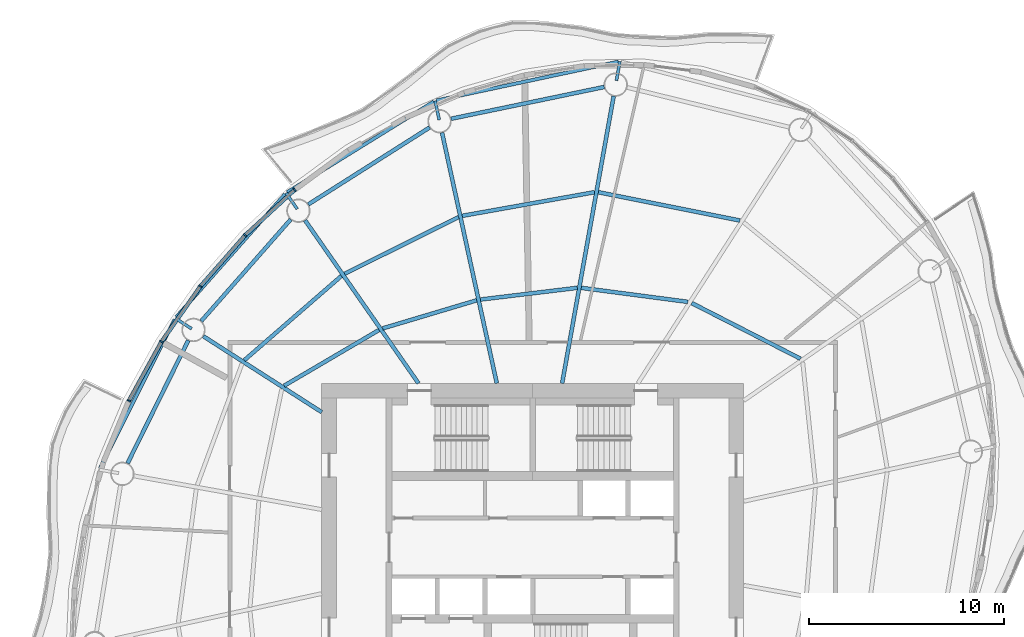
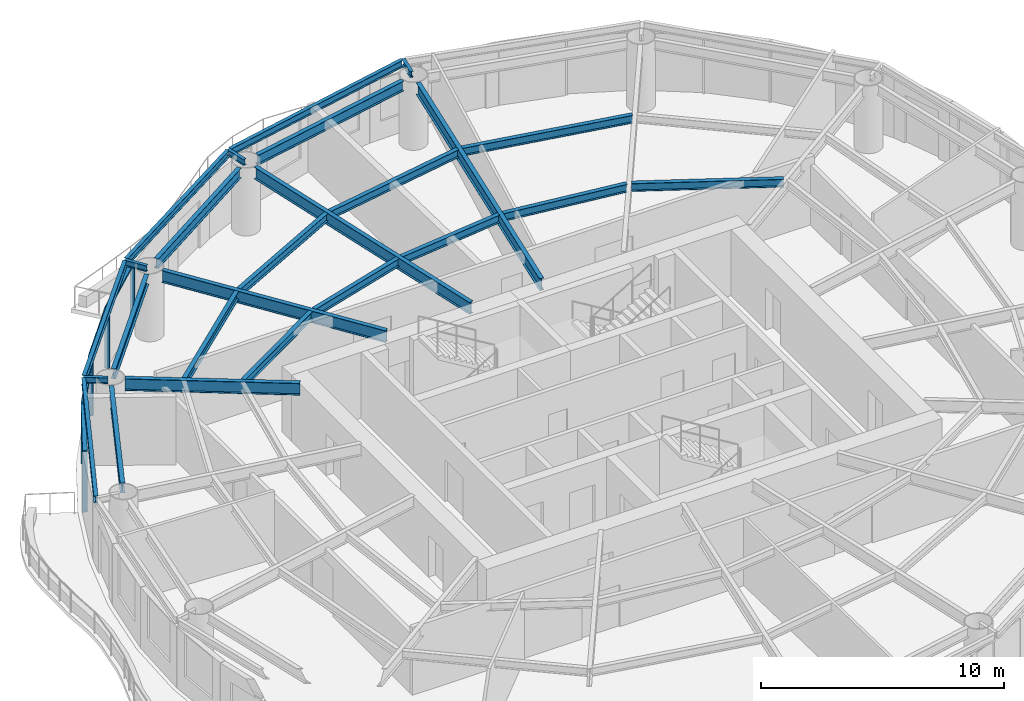
# One storey, part 5 of 14: 25 beams, 9 members, 4 elements without a shape of their own.
"""IFC4 building model written with IfcOpenShell, lengths in metres."""

import ifcopenshell
import ifcopenshell.guid

model = None  # the IFC model being written
_history = None  # IfcOwnerHistory: only IFC2X3 demands one
_inside = {}  # id of a spatial element -> (the spatial element, [elements in it])
_under = {}  # id of a project, library or spatial element -> (it, [spatial elements below it])
_declared = {}  # id of a project -> (the project, [libraries it declares])
_typed = {}  # id of a type object -> (the type object, [elements of that type])
_made_of = {}  # id of a material, layer set ... -> (it, [elements and type objects made of it])


def new_model(schema):
    """Start an empty IFC model of exactly this schema.

    Asked for "IFC4X3", IfcOpenShell would pick the latest addendum, in which some entities
    have other attributes; the version numbers below select the first issue.
    IFC2X3 requires an IfcOwnerHistory on every rooted entity: one is made here for all.
    """
    global model, _history
    if schema == "IFC4X3":
        model = ifcopenshell.file(schema_version=(4, 3, 0, 0))
    else:
        model = ifcopenshell.file(schema=schema)
    _inside.clear()
    _under.clear()
    _declared.clear()
    _typed.clear()
    _made_of.clear()
    _history = None
    if model.schema == "IFC2X3":
        org = make("IfcOrganization", Name="unknown")
        user = make(
            "IfcPersonAndOrganization",
            ThePerson=make("IfcPerson", FamilyName="unknown"),
            TheOrganization=org,
        )
        app = make(
            "IfcApplication",
            ApplicationDeveloper=org,
            Version="unknown",
            ApplicationFullName="unknown",
            ApplicationIdentifier="unknown",
        )
        _history = make(
            "IfcOwnerHistory",
            OwningUser=user,
            OwningApplication=app,
            ChangeAction="ADDED",
            CreationDate=0,
        )
    return model


def make(cls, **values):
    """One entity of the class cls with the attributes given. An attribute that is None is left unset."""
    return model.create_entity(
        cls, **{name: value for name, value in values.items() if value is not None}
    )


def rooted(cls, **values):
    """An entity with a GlobalId (a new one), such as an element, a storey or a relation."""
    return make(cls, GlobalId=ifcopenshell.guid.new(), OwnerHistory=_history, **values)


def si_unit(unit_type, name, prefix=None):
    """IfcSIUnit, for example si_unit("LENGTHUNIT", "METRE", prefix="MILLI")."""
    return make("IfcSIUnit", UnitType=unit_type, Prefix=prefix, Name=name)


def assignment(units):
    """IfcUnitAssignment: the units of a project."""
    return None if units is None else make("IfcUnitAssignment", Units=units)


def point(xyz):
    """IfcCartesianPoint."""
    return None if xyz is None else make("IfcCartesianPoint", Coordinates=xyz)


def direction(xyz):
    """IfcDirection."""
    return None if xyz is None else make("IfcDirection", DirectionRatios=xyz)


def frame(location, z_axis=None, x_axis=None):
    """IfcAxis2Placement3D, a coordinate frame: its origin and axes. An axis left out is left unset."""
    return make(
        "IfcAxis2Placement3D",
        Location=point(location),
        Axis=direction(z_axis),
        RefDirection=direction(x_axis),
    )


def frame_2d(location, x_axis=None):
    """IfcAxis2Placement2D, a coordinate frame in the plane: its origin and x axis."""
    return make(
        "IfcAxis2Placement2D", Location=point(location), RefDirection=direction(x_axis)
    )


def origin():
    """The frame at (0, 0, 0) with its axes left unset."""
    return frame((0.0, 0.0, 0.0))


def origin_2d():
    """The frame at (0, 0) in the plane with its x axis left unset."""
    return frame_2d((0.0, 0.0))


def place(relative_to, where):
    """IfcLocalPlacement: puts the frame where relative to a parent placement (None: the world)."""
    return make(
        "IfcLocalPlacement", PlacementRelTo=relative_to, RelativePlacement=where
    )


def context(
    kind, dimensions, precision=None, world=None, true_north=None, identifier=None
):
    """IfcGeometricRepresentationContext, for example the 3D "Model" context."""
    return make(
        "IfcGeometricRepresentationContext",
        ContextIdentifier=identifier,
        ContextType=kind,
        CoordinateSpaceDimension=dimensions,
        Precision=precision,
        WorldCoordinateSystem=world,
        TrueNorth=true_north,
    )


def subcontext(parent, identifier, kind, view, scale=None):
    """IfcGeometricRepresentationSubContext, for example "Body" below "Model"."""
    return make(
        "IfcGeometricRepresentationSubContext",
        ContextIdentifier=identifier,
        ContextType=kind,
        ParentContext=parent,
        TargetScale=scale,
        TargetView=view,
    )


def project(units=None, contexts=None):
    """IfcProject with its units and contexts."""
    return rooted(
        "IfcProject",
        Name="project",
        RepresentationContexts=contexts,
        UnitsInContext=assignment(units),
    )


def spatial(cls, under=None, at=None, **own):
    """A site, building, storey or space (cls), placed at a placement, below another one or the project."""
    s = rooted(cls, ObjectPlacement=at, **own)
    if under is not None:
        _under.setdefault(under.id(), (under, []))[1].append(s)
    return s


def profile(cls, at=None, kind="AREA", **sizes):
    """A parametric profile (cls). Its sizes go by their IFC names, for example OverallWidth=200.0."""
    return make(cls, ProfileType=kind, Position=at, **sizes)


def rectangle(**sizes):
    """IfcRectangleProfileDef."""
    return profile("IfcRectangleProfileDef", **sizes)


def i_section(**sizes):
    """IfcIShapeProfileDef."""
    return profile("IfcIShapeProfileDef", **sizes)


def extrude(swept, where, along, depth):
    """IfcExtrudedAreaSolid: the profile swept, set in the frame where, extruded along a direction by depth."""
    return make(
        "IfcExtrudedAreaSolid",
        SweptArea=swept,
        Position=where,
        ExtrudedDirection=direction(along),
        Depth=depth,
    )


def shape(context_of_items, identifier, shape_type, items):
    """IfcShapeRepresentation: the items that make up one representation, for example the "Body"."""
    return make(
        "IfcShapeRepresentation",
        ContextOfItems=context_of_items,
        RepresentationIdentifier=identifier,
        RepresentationType=shape_type,
        Items=items,
    )


def material(Name=None, Category=None):
    """IfcMaterial."""
    return make("IfcMaterial", Name=Name, Category=Category)


def material_profile(
    of_material, cross_section, Name=None, Category=None, Priority=None
):
    """IfcMaterialProfile: a cross section and its material."""
    return make(
        "IfcMaterialProfile",
        Name=Name,
        Material=of_material,
        Profile=cross_section,
        Priority=Priority,
        Category=Category,
    )


def profile_set(profiles, Name=None, composite=None):
    """IfcMaterialProfileSet."""
    return make(
        "IfcMaterialProfileSet",
        Name=Name,
        MaterialProfiles=profiles,
        CompositeProfile=composite,
    )


def made_of(thing, what):
    """Note that an element or type object is made of a material, layer set ...; save() writes the relation."""
    if what is not None:
        _made_of.setdefault(what.id(), (what, []))[1].append(thing)
    return thing


def type_object(cls, material=None, **own):
    """A type object (cls), such as IfcWallType, which elements share."""
    return made_of(rooted(cls, **own), material)


def element(
    cls,
    number,
    at=None,
    inside=None,
    cuts=None,
    type_object=None,
    material=None,
    context=None,
    identifier="Body",
    shape_type=None,
    held_by="IfcProductDefinitionShape",
    body=None,
    shapes=None,
    **own,
):
    """One element of the class cls, such as IfcWall. Its Tag is "e" and its number.

    at: its placement. inside: the storey or other place that contains it. cuts: it is an
    opening in that element (IfcRelVoidsElement). A single representation is given by context,
    identifier, shape_type and body (its items); several are given by shapes. held_by: the class
    of the entity that holds the representations. save() writes the other relations.
    """
    e = rooted(cls, Tag="e%d" % number, ObjectPlacement=at, **own)
    if body is not None:
        shapes = [shape(context, identifier, shape_type, body)]
    if shapes is not None:
        e.Representation = make(held_by, Representations=shapes)
    if inside is not None:
        _inside.setdefault(inside.id(), (inside, []))[1].append(e)
    if cuts is not None:
        rooted(
            "IfcRelVoidsElement", RelatingBuildingElement=cuts, RelatedOpeningElement=e
        )
    if type_object is not None:
        _typed.setdefault(type_object.id(), (type_object, []))[1].append(e)
    return made_of(e, material)


def aggregate(whole, parts):
    """IfcRelAggregates: a whole, such as a stair, and the parts it consists of."""
    return rooted("IfcRelAggregates", RelatingObject=whole, RelatedObjects=parts)


def save(model, path):
    """Write the relations noted so far, then the file.

    IfcRelAggregates (storeys below a building ...), IfcRelContainedInSpatialStructure (elements
    in a storey), IfcRelDefinesByType, IfcRelAssociatesMaterial and IfcRelDeclares: one each for
    every whole, place, type object, material and project.
    """
    for whole, parts in _under.values():
        aggregate(whole, parts)
    for where, things in _inside.values():
        rooted(
            "IfcRelContainedInSpatialStructure",
            RelatedElements=things,
            RelatingStructure=where,
        )
    for kind, things in _typed.values():
        rooted("IfcRelDefinesByType", RelatedObjects=things, RelatingType=kind)
    for what, things in _made_of.values():
        rooted("IfcRelAssociatesMaterial", RelatedObjects=things, RelatingMaterial=what)
    for by, libraries in _declared.values():
        rooted("IfcRelDeclares", RelatingContext=by, RelatedDefinitions=libraries)
    model.write(path)


model = new_model("IFC4")

# Units and contexts
model_context = context("Model", 3, precision=1e-05, world=origin(), true_north=direction((0.0, 1.0)))
body_context = subcontext(model_context, "Body", "Model", "MODEL_VIEW")
ifc_project = project(units=[si_unit("LENGTHUNIT", "METRE"), si_unit("AREAUNIT", "SQUARE_METRE"), si_unit("VOLUMEUNIT", "CUBIC_METRE"), si_unit("PLANEANGLEUNIT", "RADIAN"), si_unit("MASSUNIT", "GRAM", prefix="KILO")], contexts=[model_context])

# Site, building, storey
site_placement = place(None, origin())
site = spatial("IfcSite", under=ifc_project, at=site_placement, CompositionType="ELEMENT")
building_placement = place(site_placement, origin())
building = spatial("IfcBuilding", under=site, at=building_placement, Name="Vermilion Reach Broadcast Tower", CompositionType="ELEMENT")
storey_placement = place(building_placement, frame((0.0, 0.0, 238.89990234375)))
storey = spatial("IfcBuildingStorey", under=building, at=storey_placement, Name="L59", CompositionType="ELEMENT", Elevation=238.89990234375)

# Beams
ifc_material_1 = material(Name="Steel S355J2", Category="steel")
ifc_material_profile_1 = material_profile(ifc_material_1, i_section(OverallWidth=0.175048828125, OverallDepth=0.35009765625, WebThickness=0.007080078125, FlangeThickness=0.010986328125, at=origin_2d()), Name="S355J2 HN 350x175x7x11")
ifc_profile_set_1 = profile_set([ifc_material_profile_1], Name="Steel S355J2")
beam_type_1 = type_object("IfcBeamType", Name="EB4 HN 350x175x7x11", PredefinedType="BEAM", material=ifc_profile_set_1)
beam_1_placement = place(storey_placement, frame((-1.615966796875, 24.86328125, 3.22509765625), z_axis=(-0.97797364035, -0.208728433089, 0.0), x_axis=(0.208728433089, -0.97797364035, 0.0)))
element("IfcBeam", 1, at=beam_1_placement, inside=storey, type_object=beam_type_1, Name="Edge beam EB4-02", PredefinedType="BEAM", context=body_context, shape_type="SweptSolid", body=[
    extrude(i_section(OverallWidth=0.175048828125, OverallDepth=0.35009765625, WebThickness=0.007080078125, FlangeThickness=0.010986328125, at=origin_2d()), origin(), (0.0, 0.0, 1.0), 9.517578125),
])
beam_2_placement = place(storey_placement, frame((-11.064697265625, 22.8193359375, 3.22509765625), z_axis=(-0.850503552638, -0.525969302289, 0.0), x_axis=(0.525969302289, -0.850503552638, 0.0)))
element("IfcBeam", 2, at=beam_2_placement, inside=storey, type_object=beam_type_1, Name="Edge beam EB4-03", PredefinedType="BEAM", context=body_context, shape_type="SweptSolid", body=[
    extrude(i_section(OverallWidth=0.175048828125, OverallDepth=0.35009765625, WebThickness=0.007080078125, FlangeThickness=0.010986328125, at=origin_2d()), origin(), (0.0, 0.0, 1.0), 8.813720703125),
])
beam_3_placement = place(storey_placement, frame((-18.67578125, 18.086181640625, 3.22509765625), z_axis=(-0.662449178429, -0.749106858865, 0.0), x_axis=(0.749106858865, -0.662449178429, 0.0)))
element("IfcBeam", 3, at=beam_3_placement, inside=storey, type_object=beam_type_1, Name="Edge beam EB4-04", PredefinedType="BEAM", context=body_context, shape_type="SweptSolid", body=[
    extrude(i_section(OverallWidth=0.175048828125, OverallDepth=0.35009765625, WebThickness=0.007080078125, FlangeThickness=0.010986328125, at=origin_2d()), origin(), (0.0, 0.0, 1.0), 8.40673828125),
])
beam_4_placement = place(storey_placement, frame((-24.3291015625, 11.664306640625, 3.22509765625), z_axis=(-0.44802738022, -0.894019835671, 0.0), x_axis=(0.894019835671, -0.44802738022, 0.0)))
element("IfcBeam", 4, at=beam_4_placement, inside=storey, type_object=beam_type_1, Name="Edge beam EB4-05", PredefinedType="BEAM", context=body_context, shape_type="SweptSolid", body=[
    extrude(i_section(OverallWidth=0.175048828125, OverallDepth=0.35009765625, WebThickness=0.007080078125, FlangeThickness=0.010986328125, at=origin_2d()), origin(), (0.0, 0.0, 1.0), 8.518310546875),
])
ifc_material_2 = material(Name="Steel S355J2", Category="steel")
ifc_material_profile_2 = material_profile(ifc_material_2, i_section(OverallWidth=0.199951171875, OverallDepth=0.60009765625, WebThickness=0.010986328125, FlangeThickness=0.01708984375, at=origin_2d()), Name="S355J2 HN 600x200x11x17")
ifc_profile_set_2 = profile_set([ifc_material_profile_2], Name="Steel S355J2")
beam_type_2 = type_object("IfcBeamType", Name="G4 HN 600x200x11x17", PredefinedType="BEAM", material=ifc_profile_set_2)
beam_5_placement = place(storey_placement, frame((-4.4931640625, 8.39990234375, 3.10009765625), z_axis=(0.176574729047, 0.984287237072, 0.0), x_axis=(-0.984287237072, 0.176574729047, 0.0)))
element("IfcBeam", 5, at=beam_5_placement, inside=storey, type_object=beam_type_2, Name="Girder G4-02", PredefinedType="BEAM", context=body_context, shape_type="SweptSolid", body=[
    extrude(i_section(OverallWidth=0.199951171875, OverallDepth=0.60009765625, WebThickness=0.010986328125, FlangeThickness=0.01708984375, at=origin_2d()), origin(), (0.0, 0.0, 1.0), 14.935302734375),
])
beam_6_placement = place(storey_placement, frame((-7.836181640625, 8.39990234375, 3.10009765625), z_axis=(-0.213538346548, 0.976934682849, 0.0), x_axis=(-0.976934682849, -0.213538346548, 0.0)))
element("IfcBeam", 6, at=beam_6_placement, inside=storey, type_object=beam_type_2, Name="Girder G4-03", PredefinedType="BEAM", context=body_context, shape_type="SweptSolid", body=[
    extrude(i_section(OverallWidth=0.199951171875, OverallDepth=0.60009765625, WebThickness=0.010986328125, FlangeThickness=0.01708984375, at=origin_2d()), origin(), (0.0, 0.0, 1.0), 13.135498046875),
])
beam_7_placement = place(storey_placement, frame((-11.8447265625, 8.39990234375, 3.10009765625), z_axis=(-0.571134149017, 0.8208567377, 0.0), x_axis=(-0.8208567377, -0.571134149017, 0.0)))
element("IfcBeam", 7, at=beam_7_placement, inside=storey, type_object=beam_type_2, Name="Girder G4-04", PredefinedType="BEAM", context=body_context, shape_type="SweptSolid", body=[
    extrude(i_section(OverallWidth=0.199951171875, OverallDepth=0.60009765625, WebThickness=0.010986328125, FlangeThickness=0.01708984375, at=origin_2d()), origin(), (0.0, 0.0, 1.0), 10.16552734375),
])
beam_8_placement = place(storey_placement, frame((-16.800048828125, 6.925537109375, 3.10009765625), z_axis=(-0.841798504642, 0.539791883584, 0.0), x_axis=(-0.539791883584, -0.841798504642, 0.0)))
element("IfcBeam", 8, at=beam_8_placement, inside=storey, type_object=beam_type_2, Name="Girder G4-05", PredefinedType="BEAM", context=body_context, shape_type="SweptSolid", body=[
    extrude(i_section(OverallWidth=0.199951171875, OverallDepth=0.60009765625, WebThickness=0.010986328125, FlangeThickness=0.01708984375, at=origin_2d()), origin(), (0.0, 0.0, 1.0), 7.1962890625),
])
ifc_material_3 = material(Name="Steel S355J2", Category="steel")
ifc_material_profile_3 = material_profile(ifc_material_3, i_section(OverallWidth=0.14990234375, OverallDepth=0.300048828125, WebThickness=0.006591796875, FlangeThickness=0.009033203125, at=origin_2d()), Name="S355J2 HN 300x150x6.5x9")
ifc_profile_set_3 = profile_set([ifc_material_profile_3], Name="Steel S355J2")
beam_type_3 = type_object("IfcBeamType", Name="GS4 HN 300x150x6.5x9", PredefinedType="BEAM", material=ifc_profile_set_3)
for number, where, z_axis, x_axis, name in (
    (9, (-1.71337890625, 23.89599609375, 3.25), (0.176500327456, 0.984300581331, 0.0), (-0.984300581331, 0.176500327456, 0.0), "Cantilever stub GS4-02"),
    (10, (-10.783447265625, 21.88427734375, 3.25), (-0.213645906146, 0.976911166272, 0.0), (-0.976911166272, -0.213645906146, 0.0), "Cantilever stub GS4-03"),
    (11, (-18.053466796875, 17.3232421875, 3.25), (-0.571100256946, 0.820880318022, 0.0), (-0.820880318022, -0.571100256946, 0.0), "Cantilever stub GS4-04"),
    (12, (-23.453369140625, 11.192138671875, 3.25), (-0.841796649213, 0.539794777091, 0.0), (-0.539794777091, -0.841796649213, 0.0), "Cantilever stub GS4-05"),
):
    element("IfcBeam", number, at=place(storey_placement, frame(where, z_axis=z_axis, x_axis=x_axis)), inside=storey, type_object=beam_type_3, Name=name, PredefinedType="BEAM", context=body_context, shape_type="SweptSolid", body=[
        extrude(i_section(OverallWidth=0.14990234375, OverallDepth=0.300048828125, WebThickness=0.006591796875, FlangeThickness=0.009033203125, at=origin_2d()), origin(), (0.0, 0.0, 1.0), 1.0),
    ])
ifc_material_4 = material(Name="Steel S355J2", Category="steel")
ifc_material_profile_4 = material_profile(ifc_material_4, i_section(OverallWidth=0.199951171875, OverallDepth=0.5, WebThickness=0.010009765625, FlangeThickness=0.01611328125, at=origin_2d()), Name="S355J2 HN 500x200x10x16")
ifc_profile_set_4 = profile_set([ifc_material_profile_4], Name="Steel S355J2")
beam_type_4 = type_object("IfcBeamType", Name="RB4 HN 500x200x10x16", PredefinedType="BEAM", material=ifc_profile_set_4)
beam_9_placement = place(storey_placement, frame((-2.337646484375, 23.569091796875, 3.150146484375), z_axis=(-0.97912342484, -0.203266620302, 0.0), x_axis=(0.203266620302, -0.97912342484, 0.0)))
element("IfcBeam", 13, at=beam_9_placement, inside=storey, type_object=beam_type_4, Name="Ring beam RB4-02", PredefinedType="BEAM", context=body_context, shape_type="SweptSolid", body=[
    extrude(i_section(OverallWidth=0.199951171875, OverallDepth=0.5, WebThickness=0.010009765625, FlangeThickness=0.01611328125, at=origin_2d()), origin(), (0.0, 0.0, 1.0), 8.01123046875),
])
beam_10_placement = place(storey_placement, frame((-11.27587890625, 21.497314453125, 3.150146484375), z_axis=(-0.84446426774, -0.535611893549, 0.0), x_axis=(0.535611893549, -0.84446426774, 0.0)))
element("IfcBeam", 14, at=beam_10_placement, inside=storey, type_object=beam_type_4, Name="Ring beam RB4-03", PredefinedType="BEAM", context=body_context, shape_type="SweptSolid", body=[
    extrude(i_section(OverallWidth=0.199951171875, OverallDepth=0.5, WebThickness=0.010009765625, FlangeThickness=0.01611328125, at=origin_2d()), origin(), (0.0, 0.0, 1.0), 7.3544921875),
])
beam_11_placement = place(storey_placement, frame((-18.3896484375, 16.786376953125, 3.150146484375), z_axis=(-0.660565141761, -0.750768735024, 0.0), x_axis=(0.750768735024, -0.660565141761, 0.0)))
element("IfcBeam", 15, at=beam_11_placement, inside=storey, type_object=beam_type_4, Name="Ring beam RB4-04", PredefinedType="BEAM", context=body_context, shape_type="SweptSolid", body=[
    extrude(i_section(OverallWidth=0.199951171875, OverallDepth=0.5, WebThickness=0.010009765625, FlangeThickness=0.01611328125, at=origin_2d()), origin(), (0.0, 0.0, 1.0), 6.9287109375),
])
beam_12_placement = place(storey_placement, frame((-23.628662109375, 10.595947265625, 3.150146484375), z_axis=(-0.442977497199, -0.896532730566, 0.0), x_axis=(0.896532730566, -0.442977497199, 0.0)))
element("IfcBeam", 16, at=beam_12_placement, inside=storey, type_object=beam_type_4, Name="Ring beam RB4-05", PredefinedType="BEAM", context=body_context, shape_type="SweptSolid", body=[
    extrude(i_section(OverallWidth=0.199951171875, OverallDepth=0.5, WebThickness=0.010009765625, FlangeThickness=0.01611328125, at=origin_2d()), origin(), (0.0, 0.0, 1.0), 7.0166015625),
])
ifc_material_5 = material(Name="Steel S355J2", Category="steel")
ifc_material_profile_5 = material_profile(ifc_material_5, i_section(OverallWidth=0.199951171875, OverallDepth=0.39990234375, WebThickness=0.008056640625, FlangeThickness=0.012939453125, at=origin_2d()), Name="S355J2 HN 400x200x8x13")
ifc_profile_set_5 = profile_set([ifc_material_profile_5], Name="Steel S355J2")
beam_type_5 = type_object("IfcBeamType", Name="SB4 HN 400x200x8x13", PredefinedType="BEAM", material=ifc_profile_set_5)
beam_13_placement = place(storey_placement, frame((1.94140625, 12.5693359375, 3.2001953125), z_axis=(-0.991458070019, 0.130425823341, 0.0), x_axis=(-0.130425823341, -0.991458070019, 0.0)))
element("IfcBeam", 17, at=beam_13_placement, inside=storey, type_object=beam_type_5, Name="Secondary beam SB4-01-1", PredefinedType="BEAM", context=body_context, shape_type="SweptSolid", body=[
    extrude(i_section(OverallWidth=0.199951171875, OverallDepth=0.39990234375, WebThickness=0.008056640625, FlangeThickness=0.012939453125, at=origin_2d()), origin(), (0.0, 0.0, 1.0), 5.50341796875),
])
beam_14_placement = place(storey_placement, frame((4.60986328125, 16.73095703125, 3.2001953125), z_axis=(-0.9805717807, 0.196160604851, 0.0), x_axis=(-0.196160604851, -0.9805717807, 0.0)))
element("IfcBeam", 18, at=beam_14_placement, inside=storey, type_object=beam_type_5, Name="Secondary beam SB4-01-2", PredefinedType="BEAM", context=body_context, shape_type="SweptSolid", body=[
    extrude(i_section(OverallWidth=0.199951171875, OverallDepth=0.39990234375, WebThickness=0.008056640625, FlangeThickness=0.012939453125, at=origin_2d()), origin(), (0.0, 0.0, 1.0), 7.390380859375),
])
beam_15_placement = place(storey_placement, frame((-3.718017578125, 13.28759765625, 3.2001953125), z_axis=(-0.99278788328, -0.119884189168, 0.0), x_axis=(0.119884189168, -0.99278788328, 0.0)))
element("IfcBeam", 19, at=beam_15_placement, inside=storey, type_object=beam_type_5, Name="Secondary beam SB4-02-1", PredefinedType="BEAM", context=body_context, shape_type="SweptSolid", body=[
    extrude(i_section(OverallWidth=0.199951171875, OverallDepth=0.39990234375, WebThickness=0.008056640625, FlangeThickness=0.012939453125, at=origin_2d()), origin(), (0.0, 0.0, 1.0), 4.9892578125),
])
beam_16_placement = place(storey_placement, frame((-2.840087890625, 18.181640625, 3.2001953125), z_axis=(-0.984415281892, -0.175859468829, 0.0), x_axis=(0.175859468829, -0.984415281892, 0.0)))
element("IfcBeam", 20, at=beam_16_placement, inside=storey, type_object=beam_type_5, Name="Secondary beam SB4-02-2", PredefinedType="BEAM", context=body_context, shape_type="SweptSolid", body=[
    extrude(i_section(OverallWidth=0.199951171875, OverallDepth=0.39990234375, WebThickness=0.008056640625, FlangeThickness=0.012939453125, at=origin_2d()), origin(), (0.0, 0.0, 1.0), 6.874755859375),
])
beam_17_placement = place(storey_placement, frame((-8.8671875, 12.64892578125, 3.2001953125), z_axis=(-0.958173460215, -0.28618808525, 0.0), x_axis=(0.28618808525, -0.958173460215, 0.0)))
element("IfcBeam", 21, at=beam_17_placement, inside=storey, type_object=beam_type_5, Name="Secondary beam SB4-03-1", PredefinedType="BEAM", context=body_context, shape_type="SweptSolid", body=[
    extrude(i_section(OverallWidth=0.199951171875, OverallDepth=0.39990234375, WebThickness=0.008056640625, FlangeThickness=0.012939453125, at=origin_2d()), origin(), (0.0, 0.0, 1.0), 5.02197265625),
])
beam_18_placement = place(storey_placement, frame((-9.79833984375, 16.908935546875, 3.2001953125), z_axis=(-0.895183615542, -0.445697536974, 0.0), x_axis=(0.445697536974, -0.895183615542, 0.0)))
element("IfcBeam", 22, at=beam_18_placement, inside=storey, type_object=beam_type_5, Name="Secondary beam SB4-03-2", PredefinedType="BEAM", context=body_context, shape_type="SweptSolid", body=[
    extrude(i_section(OverallWidth=0.199951171875, OverallDepth=0.39990234375, WebThickness=0.008056640625, FlangeThickness=0.012939453125, at=origin_2d()), origin(), (0.0, 0.0, 1.0), 6.508544921875),
])
beam_19_placement = place(storey_placement, frame((-13.866455078125, 11.130615234375, 3.2001953125), z_axis=(-0.862172572268, -0.506614701356, 0.0), x_axis=(0.506614701356, -0.862172572268, 0.0)))
element("IfcBeam", 23, at=beam_19_placement, inside=storey, type_object=beam_type_5, Name="Secondary beam SB4-04-1", PredefinedType="BEAM", context=body_context, shape_type="SweptSolid", body=[
    extrude(i_section(OverallWidth=0.199951171875, OverallDepth=0.39990234375, WebThickness=0.008056640625, FlangeThickness=0.012939453125, at=origin_2d()), origin(), (0.0, 0.0, 1.0), 5.632568359375),
])
beam_20_placement = place(storey_placement, frame((-15.791259765625, 13.89697265625, 3.2001953125), z_axis=(-0.755129308567, -0.655575874589, 0.0), x_axis=(0.655575874589, -0.755129308567, 0.0)))
element("IfcBeam", 24, at=beam_20_placement, inside=storey, type_object=beam_type_5, Name="Secondary beam SB4-04-2", PredefinedType="BEAM", context=body_context, shape_type="SweptSolid", body=[
    extrude(i_section(OverallWidth=0.199951171875, OverallDepth=0.39990234375, WebThickness=0.008056640625, FlangeThickness=0.012939453125, at=origin_2d()), origin(), (0.0, 0.0, 1.0), 6.57958984375),
])
beam_21_placement = place(storey_placement, frame((7.707763671875, 9.659423828125, 3.2001953125), z_axis=(-0.89015575218, 0.455656380249, 0.0), x_axis=(-0.455656380249, -0.89015575218, 0.0)))
element("IfcBeam", 25, at=beam_21_placement, inside=storey, type_object=beam_type_5, Name="Secondary beam SB4-16-1", PredefinedType="BEAM", context=body_context, shape_type="SweptSolid", body=[
    extrude(i_section(OverallWidth=0.199951171875, OverallDepth=0.39990234375, WebThickness=0.008056640625, FlangeThickness=0.012939453125, at=origin_2d()), origin(), (0.0, 0.0, 1.0), 6.25439453125),
])

# Curtain wall, member
ifc_material_6 = material(Name="Low-e laminated clear glass in aluminium frame", Category="aluminium")
curtain_wall_type = type_object("IfcCurtainWallType", Name="Slot curtain wall", PredefinedType="NOTDEFINED", material=ifc_material_6)
placement = place(storey_placement, origin())
curtain_wall_1 = element("IfcCurtainWall", 26, at=placement, inside=storey, type_object=curtain_wall_type, Name="Slot curtain wall L59 10", PredefinedType="NOTDEFINED")
ifc_material_7 = material(Name="Anodised aluminium", Category="aluminium")
ifc_material_profile_6 = material_profile(ifc_material_7, rectangle(XDim=0.199951171875, YDim=0.080078125, at=origin_2d()), Name="Slot mullion 80 x 200")
ifc_profile_set_6 = profile_set([ifc_material_profile_6], Name="Anodised aluminium")
member_type_1 = type_object("IfcMemberType", Name="Slot mullion 80 x 200", PredefinedType="MULLION", material=ifc_profile_set_6)
member_1_placement = place(storey_placement, frame((-18.18603515625, 18.303466796875, 0.0), z_axis=(0.0, 0.0, 1.0), x_axis=(0.635256455111, -0.772301260027, 0.0)))
member_1 = element("IfcMember", 27, at=member_1_placement, type_object=member_type_1, Name="Slot mullion L59 10", PredefinedType="MULLION", context=body_context, shape_type="SweptSolid", body=[
    extrude(rectangle(XDim=0.199951171875, YDim=0.080078125, at=origin_2d()), origin(), (0.0, 0.0, 1.0), 3.050048828125),
])

curtain_wall_2 = element("IfcCurtainWall", 28, at=placement, inside=storey, type_object=curtain_wall_type, Name="Slot curtain wall L59 11", PredefinedType="NOTDEFINED")
member_2_placement = place(storey_placement, frame((-20.7236328125, 15.9716796875, 0.0), z_axis=(0.0, 0.0, 1.0), x_axis=(0.715376590004, -0.698739103295, 0.0)))
member_2 = element("IfcMember", 29, at=member_2_placement, type_object=member_type_1, Name="Slot mullion L59 11", PredefinedType="MULLION", context=body_context, shape_type="SweptSolid", body=[
    extrude(rectangle(XDim=0.199951171875, YDim=0.080078125, at=origin_2d()), origin(), (0.0, 0.0, 1.0), 3.050048828125),
])

curtain_wall_3 = element("IfcCurtainWall", 30, at=placement, inside=storey, type_object=curtain_wall_type, Name="Slot curtain wall L59 12", PredefinedType="NOTDEFINED")
member_3_placement = place(storey_placement, frame((-23.00830078125, 13.364990234375, 0.0), z_axis=(0.0, 0.0, 1.0), x_axis=(0.786288459527, -0.617859578233, 0.0)))
member_3 = element("IfcMember", 31, at=member_3_placement, type_object=member_type_1, Name="Slot mullion L59 12", PredefinedType="MULLION", context=body_context, shape_type="SweptSolid", body=[
    extrude(rectangle(XDim=0.199951171875, YDim=0.080078125, at=origin_2d()), origin(), (0.0, 0.0, 1.0), 3.050048828125),
])

# Curtain wall, members
curtain_wall_4 = element("IfcCurtainWall", 32, at=placement, inside=storey, type_object=curtain_wall_type, Name="Slot curtain wall L59 13", PredefinedType="NOTDEFINED")
member_4_placement = place(storey_placement, frame((-25.000732421875, 10.528564453125, 0.0), z_axis=(0.0, 0.0, 1.0), x_axis=(0.848102932634, -0.529831497419, 0.0)))
member_4 = element("IfcMember", 33, at=member_4_placement, type_object=member_type_1, Name="Slot mullion L59 13", PredefinedType="MULLION", context=body_context, shape_type="SweptSolid", body=[
    extrude(rectangle(XDim=0.199951171875, YDim=0.080078125, at=origin_2d()), origin(), (0.0, 0.0, 1.0), 3.050048828125),
])
member_5_placement = place(storey_placement, frame((-26.666259765625, 7.51171875, 0.0), z_axis=(0.0, 0.0, 1.0), x_axis=(0.900629902586, -0.434586905657, 0.0)))
member_5 = element("IfcMember", 34, at=member_5_placement, type_object=member_type_1, Name="Slot mullion L59 14", PredefinedType="MULLION", context=body_context, shape_type="SweptSolid", body=[
    extrude(rectangle(XDim=0.199951171875, YDim=0.080078125, at=origin_2d()), origin(), (0.0, 0.0, 1.0), 3.050048828125),
])

# Member
ifc_material_8 = material(Name="Anodised aluminium", Category="aluminium")
ifc_material_profile_7 = material_profile(ifc_material_8, rectangle(XDim=0.199951171875, YDim=0.10009765625, at=origin_2d()), Name="Slot transom 200 x 100")
ifc_profile_set_7 = profile_set([ifc_material_profile_7], Name="Anodised aluminium")
member_type_2 = type_object("IfcMemberType", Name="Slot transom 200 x 100", PredefinedType="USERDEFINED", material=ifc_profile_set_7)
member_6_placement = place(storey_placement, frame((-18.215576171875, 18.2763671875, 3.0), z_axis=(-0.736286502576, -0.676669924058, 0.0), x_axis=(0.676669924058, -0.736286502576, 0.0)))
member_6 = element("IfcMember", 35, at=member_6_placement, type_object=member_type_2, Name="Slot transom L59 10.1", ObjectType="TRANSOM", PredefinedType="USERDEFINED", context=body_context, shape_type="SweptSolid", body=[
    extrude(rectangle(XDim=0.199951171875, YDim=0.10009765625, at=origin_2d()), origin(), (0.0, 0.0, 1.0), 3.3662109375),
])

aggregate(curtain_wall_1, [member_1, member_6])

member_7_placement = place(storey_placement, frame((-20.75, 15.94140625, 3.0), z_axis=(-0.659147534021, -0.752013649074, 0.0), x_axis=(0.752013649074, -0.659147534021, 0.0)))
member_7 = element("IfcMember", 36, at=member_7_placement, type_object=member_type_2, Name="Slot transom L59 11.1", ObjectType="TRANSOM", PredefinedType="USERDEFINED", context=body_context, shape_type="SweptSolid", body=[
    extrude(rectangle(XDim=0.199951171875, YDim=0.10009765625, at=origin_2d()), origin(), (0.0, 0.0, 1.0), 3.385986328125),
])

aggregate(curtain_wall_2, [member_2, member_7])

member_8_placement = place(storey_placement, frame((-23.03125, 13.332275390625, 3.0), z_axis=(-0.57480200781, -0.818292522157, 0.0), x_axis=(0.818292522157, -0.57480200781, 0.0)))
member_8 = element("IfcMember", 37, at=member_8_placement, type_object=member_type_2, Name="Slot transom L59 12.1", ObjectType="TRANSOM", PredefinedType="USERDEFINED", context=body_context, shape_type="SweptSolid", body=[
    extrude(rectangle(XDim=0.199951171875, YDim=0.10009765625, at=origin_2d()), origin(), (0.0, 0.0, 1.0), 3.385986328125),
])

aggregate(curtain_wall_3, [member_3, member_8])

member_9_placement = place(storey_placement, frame((-25.02001953125, 10.49365234375, 3.0), z_axis=(-0.483307396805, -0.875450718312, 0.0), x_axis=(0.875450718312, -0.483307396805, 0.0)))
member_9 = element("IfcMember", 38, at=member_9_placement, type_object=member_type_2, Name="Slot transom L59 13.1", ObjectType="TRANSOM", PredefinedType="USERDEFINED", context=body_context, shape_type="SweptSolid", body=[
    extrude(rectangle(XDim=0.199951171875, YDim=0.10009765625, at=origin_2d()), origin(), (0.0, 0.0, 1.0), 3.3662109375),
])

aggregate(curtain_wall_4, [member_4, member_5, member_9])

save(model, "model.ifc")
